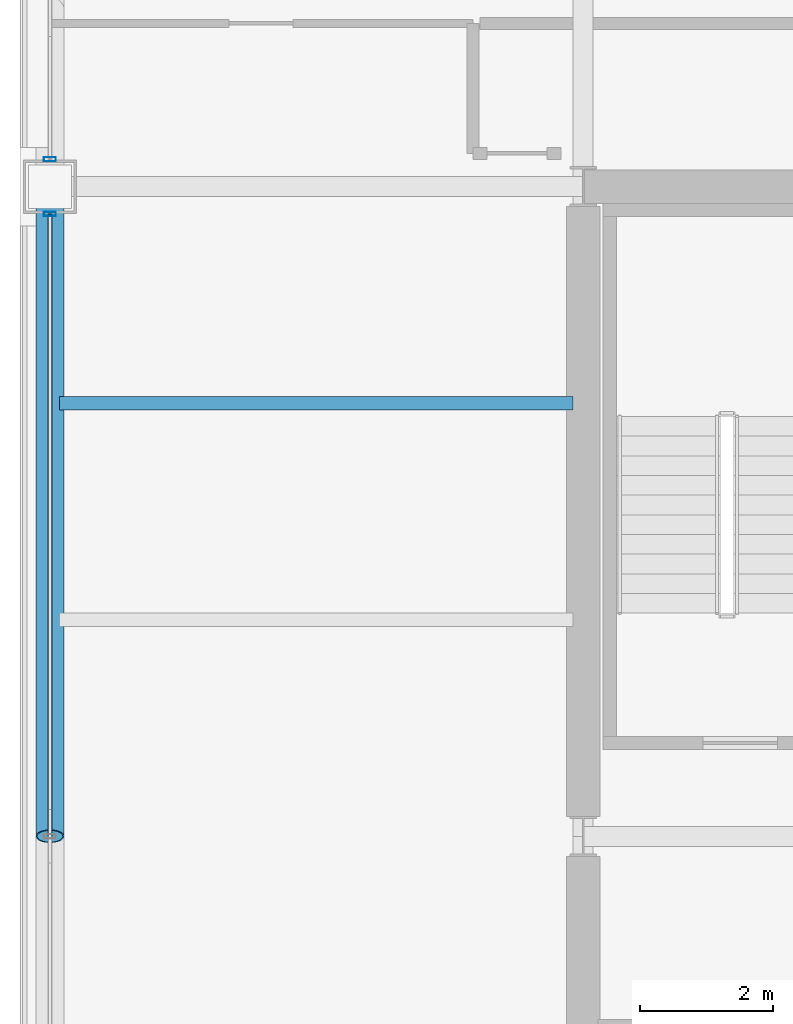
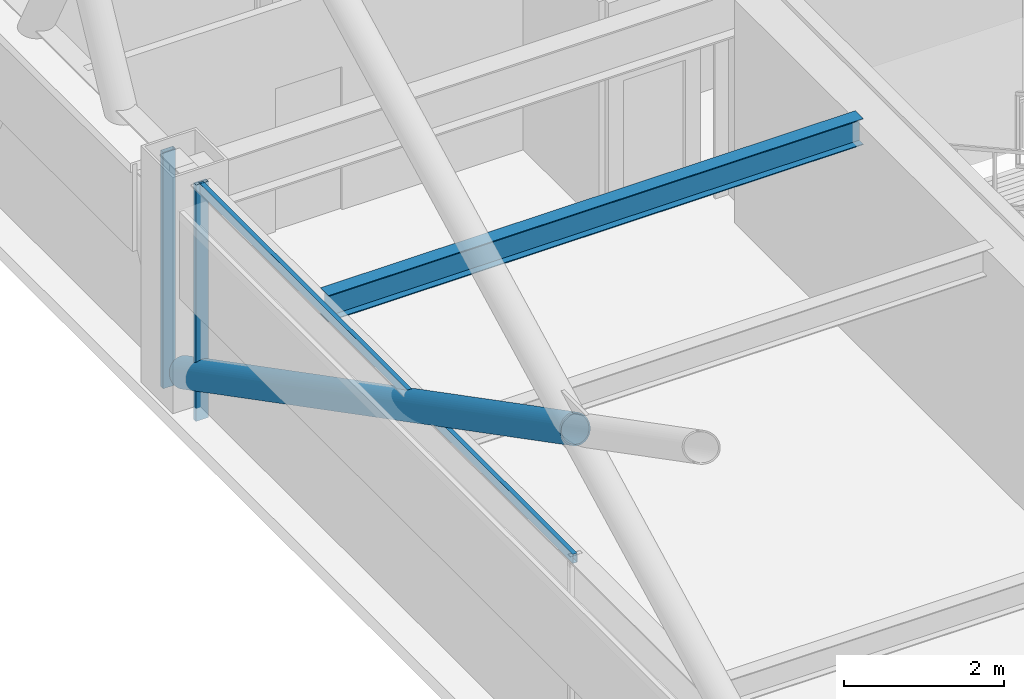
# One storey, part 10 of 35: 4 members, 1 beam, 2 elements without a shape of their own.
"""IFC4 building model written with IfcOpenShell, lengths in metres."""

from ifc_helpers import new_model, si_unit, direction, frame, origin, origin_2d, place, context, subcontext, project, spatial, hollow_rectangle, hollow_circle, i_section, extrude, material, layer, layer_set, material_profile, profile_set, type_object, element, aggregate, save


model = new_model("IFC4")

# Units and contexts
model_context = context("Model", 3, precision=1e-05, world=origin(), true_north=direction((0.0, 1.0)))
body_context = subcontext(model_context, "Body", "Model", "MODEL_VIEW")
ifc_project = project(units=[si_unit("LENGTHUNIT", "METRE"), si_unit("AREAUNIT", "SQUARE_METRE"), si_unit("VOLUMEUNIT", "CUBIC_METRE"), si_unit("PLANEANGLEUNIT", "RADIAN"), si_unit("MASSUNIT", "GRAM", prefix="KILO")], contexts=[model_context])

# Site, building, storey
site_placement = place(None, origin())
site = spatial("IfcSite", under=ifc_project, at=site_placement, CompositionType="ELEMENT")
building_placement = place(site_placement, origin())
building = spatial("IfcBuilding", under=site, at=building_placement, Name="Brelmoor Portico Tower", CompositionType="ELEMENT")
storey_placement = place(building_placement, frame((0.0, 0.0, 131.39990234375)))
storey = spatial("IfcBuildingStorey", under=building, at=storey_placement, Name="L34", CompositionType="ELEMENT", Elevation=131.39990234375)

# Beam
ifc_material_1 = material(Name="Steel Q355B", Category="steel")
ifc_material_profile_1 = material_profile(ifc_material_1, i_section(OverallWidth=0.199951171875, OverallDepth=0.39990234375, WebThickness=0.008056640625, FlangeThickness=0.012939453125, at=origin_2d()), Name="HN 400x200x8x13")
ifc_profile_set_1 = profile_set([ifc_material_profile_1], Name="Steel Q355B")
beam_type = type_object("IfcBeamType", Name="BM-JS-400", PredefinedType="JOIST", material=ifc_profile_set_1)
beam_placement = place(storey_placement, frame((-22.409912109375, 6.5, 3.2001953125), z_axis=(1.0, 0.0, 0.0), x_axis=(0.0, 1.0, 0.0)))
element("IfcBeam", 1, at=beam_placement, inside=storey, type_object=beam_type, Name="L34 Secondary Wing Joist JS-W08", PredefinedType="JOIST", context=body_context, shape_type="SweptSolid", body=[
    extrude(i_section(OverallWidth=0.199951171875, OverallDepth=0.39990234375, WebThickness=0.008056640625, FlangeThickness=0.012939453125, at=origin_2d()), origin(), (0.0, 0.0, 1.0), 7.7099609375),
])

# Member
ifc_material_profile_2 = material_profile(ifc_material_1, hollow_circle(Radius=0.212890625, WallThickness=0.02001953125, at=origin_2d()), Name="CHS 426x20")
ifc_profile_set_2 = profile_set([ifc_material_profile_2], Name="Steel Q355B")
member_type_1 = type_object("IfcMemberType", Name="MB-BELT-DIAG1", PredefinedType="BRACE", material=ifc_profile_set_2)
member_1_placement = place(storey_placement, frame((-22.550048828125, 9.75, 0.25), z_axis=(0.0, -0.887959386012, 0.459921872488), x_axis=(1.0, 0.0, 0.0)))
element("IfcMember", 2, at=member_1_placement, inside=storey, type_object=member_type_1, Name="L34 Split Mega-X Brace 080B1", PredefinedType="BRACE", context=body_context, shape_type="SweptSolid", body=[
    extrude(hollow_circle(Radius=0.212890625, WallThickness=0.02001953125, at=origin_2d()), origin(), (0.0, 0.0, 1.0), 10.980224609375),
])

# Curtain wall, member
ifc_material_2 = material(Name="Anodised Aluminium Alloy 6063-T6", Category="aluminium")
ifc_layer = layer(ifc_material_2, 0.179931640625)
ifc_layer_set = layer_set([ifc_layer], Name="Anodised Aluminium Alloy 6063-T6")
curtain_wall_type = type_object("IfcCurtainWallType", Name="CW-TOWER-Z2-XB", PredefinedType="NOTDEFINED", material=ifc_layer_set)
curtain_wall_1_placement = place(storey_placement, origin())
curtain_wall_1 = element("IfcCurtainWall", 3, at=curtain_wall_1_placement, inside=storey, type_object=curtain_wall_type, Name="L34 Curtain Wall CW-L34-03-2", PredefinedType="NOTDEFINED")
ifc_material_profile_3 = material_profile(ifc_material_2, hollow_rectangle(XDim=0.06494140625, YDim=0.179931640625, WallThickness=0.00390625, at=origin_2d()), Name="ALU MULLION 65x180")
ifc_profile_set_3 = profile_set([ifc_material_profile_3], Name="Anodised Aluminium Alloy 6063-T6")
member_type_2 = type_object("IfcMemberType", Name="MB-CW-MULL-180", PredefinedType="MULLION", material=ifc_profile_set_3)
member_2_placement = place(storey_placement, frame((-22.550048828125, 9.340087890625, -0.199951171875), z_axis=(0.0, 0.0, 1.0), x_axis=(0.0, 1.0, 0.0)))
member_2 = element("IfcMember", 4, at=member_2_placement, type_object=member_type_2, Name="CW-L34-03-2 Mullion 02", PredefinedType="MULLION", context=body_context, shape_type="SweptSolid", body=[
    extrude(hollow_rectangle(XDim=0.06494140625, YDim=0.179931640625, WallThickness=0.00390625, at=origin_2d()), origin(), (0.0, 0.0, 1.0), 3.60009765625),
])

curtain_wall_2_placement = place(storey_placement, origin())
curtain_wall_2 = element("IfcCurtainWall", 5, at=curtain_wall_2_placement, inside=storey, type_object=curtain_wall_type, Name="L34 Curtain Wall CW-L34-03-3", PredefinedType="NOTDEFINED")
member_3_placement = place(storey_placement, frame((-22.550048828125, 10.159912109375, -0.199951171875), z_axis=(0.0, 0.0, 1.0), x_axis=(0.0, 1.0, 0.0)))
member_3 = element("IfcMember", 6, at=member_3_placement, type_object=member_type_2, Name="CW-L34-03-3 Mullion 00", PredefinedType="MULLION", context=body_context, shape_type="SweptSolid", body=[
    extrude(hollow_rectangle(XDim=0.06494140625, YDim=0.179931640625, WallThickness=0.00390625, at=origin_2d()), origin(), (0.0, 0.0, 1.0), 3.60009765625),
])
aggregate(curtain_wall_2, [member_3])

# Member
ifc_material_profile_4 = material_profile(ifc_material_2, hollow_rectangle(XDim=0.06494140625, YDim=0.139892578125, WallThickness=0.00390625, at=origin_2d()), Name="ALU TRANSOM 65x140")
ifc_profile_set_4 = profile_set([ifc_material_profile_4], Name="Anodised Aluminium Alloy 6063-T6")
member_type_3 = type_object("IfcMemberType", Name="MB-CW-TRAN-140", PredefinedType="USERDEFINED", material=ifc_profile_set_4)
member_4_placement = place(storey_placement, frame((-22.550048828125, 0.0, 3.330078125), z_axis=(0.0, 1.0, 0.0), x_axis=(-1.0, 0.0, 0.0)))
member_4 = element("IfcMember", 7, at=member_4_placement, type_object=member_type_3, Name="CW-L34-03-2 Transom 1-01", ObjectType="TRANSOM", PredefinedType="USERDEFINED", context=body_context, shape_type="SweptSolid", body=[
    extrude(hollow_rectangle(XDim=0.06494140625, YDim=0.139892578125, WallThickness=0.00390625, at=origin_2d()), origin(), (0.0, 0.0, 1.0), 9.340087890625),
])

aggregate(curtain_wall_1, [member_2, member_4])

save(model, "model.ifc")
